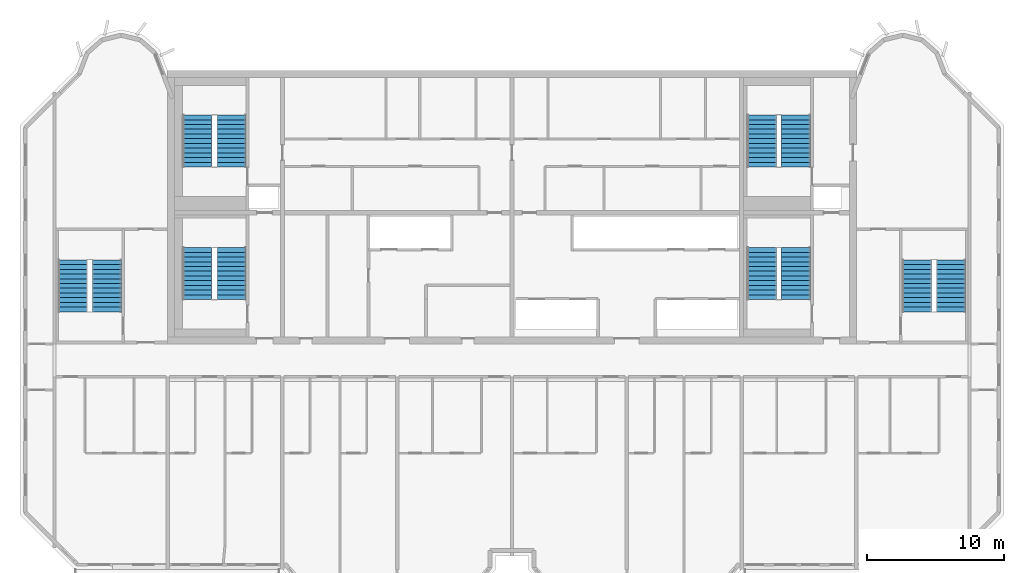
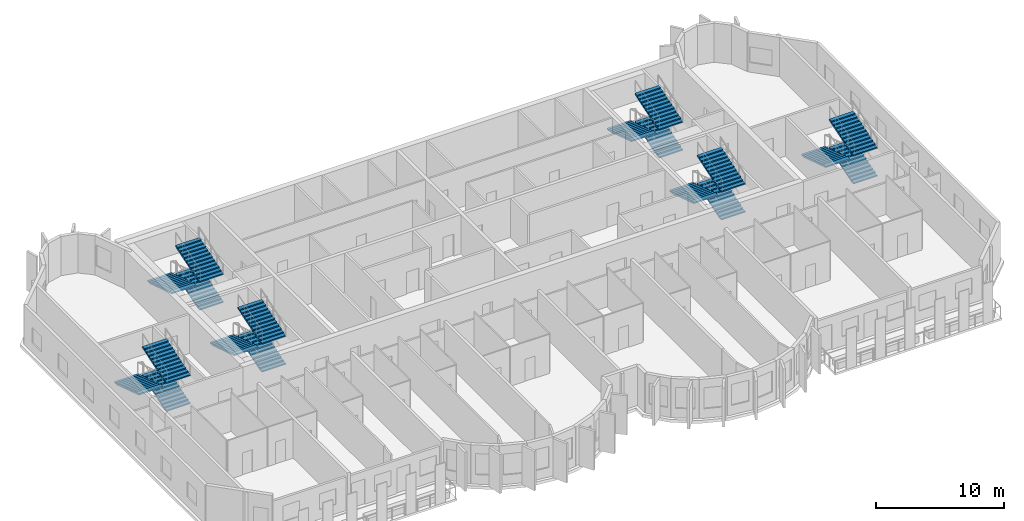
# One storey, part 9 of 12: 18 stair flights, 6 elements without a shape of their own.
"""IFC4 building model written with IfcOpenShell, lengths in metres."""

from ifc_helpers import new_model, si_unit, direction, frame, origin, place, context, subcontext, project, spatial, polyline, outline, extrude, source, transform, mapped, material, type_object, element, aggregate, save


model = new_model("IFC4")

# Units and contexts
model_context = context("Model", 3, precision=1e-05, world=origin(), true_north=direction((0.0, 1.0)))
body_context = subcontext(model_context, "Body", "Model", "MODEL_VIEW")
ifc_project = project(units=[si_unit("LENGTHUNIT", "METRE"), si_unit("AREAUNIT", "SQUARE_METRE"), si_unit("VOLUMEUNIT", "CUBIC_METRE"), si_unit("PLANEANGLEUNIT", "RADIAN"), si_unit("MASSUNIT", "GRAM", prefix="KILO")], contexts=[model_context])

# Site, building, storey
site_placement = place(None, origin())
site = spatial("IfcSite", under=ifc_project, at=site_placement, CompositionType="ELEMENT")
building_placement = place(site_placement, origin())
building = spatial("IfcBuilding", under=site, at=building_placement, Name="Vanashikhar Sky Hotel", CompositionType="ELEMENT")
storey_placement = place(building_placement, frame((0.0, 0.0, 297.699951171875)))
storey = spatial("IfcBuildingStorey", under=building, at=storey_placement, Name="L71", CompositionType="ELEMENT", Elevation=297.699951171875)

# Stair, stair flights
ifc_material = material(Name="Concrete M40", Category="concrete")
stair_type = type_object("IfcStairType", Name="Exit stair 2150", PredefinedType="DOUBLE_RETURN_STAIR", material=ifc_material)
stair_1_placement = place(storey_placement, origin())
stair_1 = element("IfcStair", 1, at=stair_1_placement, inside=storey, type_object=stair_type, Name="L71 Exit stair 1", PredefinedType="DOUBLE_RETURN_STAIR")
stair_flight_type = type_object("IfcStairFlightType", Name="Stair flight 2150", PredefinedType="STRAIGHT", material=ifc_material)
shared_shape = source(origin(), body_context, "Body", "SweptSolid", [
    extrude(outline(polyline([(0.0, 0.0), (0.0, 0.111083984375), (0.345458984375, 0.111083984375), (0.345458984375, 0.22216796875), (0.69091796875, 0.22216796875), (0.69091796875, 0.333251953125), (1.036376953125, 0.333251953125), (1.036376953125, 0.4443359375), (1.3818359375, 0.4443359375), (1.3818359375, 0.5556640625), (1.727294921875, 0.5556640625), (1.727294921875, 0.666748046875), (2.07275390625, 0.666748046875), (2.07275390625, 0.77783203125), (2.418212890625, 0.77783203125), (2.418212890625, 0.888916015625), (2.763671875, 0.888916015625), (2.763671875, 1.0), (3.109130859375, 1.0), (3.109130859375, 1.111083984375), (3.45458984375, 1.111083984375), (3.45458984375, 1.22216796875), (3.800048828125, 1.22216796875), (3.800048828125, 1.333251953125), (3.800048828125, 1.095947265625), (0.392333984375, 0.0), (0.0, 0.0)])), frame((0.0, 1.074951171875, 0.0), z_axis=(0.0, -1.0, 0.0), x_axis=(1.0, 0.0, 0.0)), (0.0, 0.0, 1.0), 2.14990234375),
])
stair_flight_1_placement = place(storey_placement, frame((29.875, 25.25, 0.0), z_axis=(0.0, 0.0, 1.0), x_axis=(0.0, 1.0, 0.0)))
stair_flight_1 = element("IfcStairFlight", 2, at=stair_flight_1_placement, type_object=stair_flight_type, Name="ST-C1 flight 1", NumberOfRisers=12, NumberOfTreads=11, PredefinedType="STRAIGHT", RiserHeight=0.111111111, TreadLength=0.345454545, context=body_context, shape_type="MappedRepresentation", body=[
    mapped(shared_shape, transform((0.0, 0.0, 0.0), scale=1.0)),
])
stair_flight_2_placement = place(storey_placement, frame((27.375, 29.050048828125, 1.33349609375), z_axis=(0.0, 0.0, 1.0), x_axis=(0.0, -1.0, 0.0)))
stair_flight_2 = element("IfcStairFlight", 3, at=stair_flight_2_placement, type_object=stair_flight_type, Name="ST-C1 flight 2", NumberOfRisers=12, NumberOfTreads=11, PredefinedType="STRAIGHT", RiserHeight=0.111111111, TreadLength=0.345454545, context=body_context, shape_type="MappedRepresentation", body=[
    mapped(shared_shape, transform((0.0, 0.0, 0.0), scale=1.0)),
])
stair_flight_3_placement = place(storey_placement, frame((29.875, 25.25, 2.666748046875), z_axis=(0.0, 0.0, 1.0), x_axis=(0.0, 1.0, 0.0)))
stair_flight_3 = element("IfcStairFlight", 4, at=stair_flight_3_placement, type_object=stair_flight_type, Name="ST-C1 flight 3", NumberOfRisers=12, NumberOfTreads=11, PredefinedType="STRAIGHT", RiserHeight=0.111111111, TreadLength=0.345454545, context=body_context, shape_type="MappedRepresentation", body=[
    mapped(shared_shape, transform((0.0, 0.0, 0.0), scale=1.0)),
])
aggregate(stair_1, [stair_flight_1, stair_flight_2, stair_flight_3])

stair_2_placement = place(storey_placement, origin())
stair_2 = element("IfcStair", 5, at=stair_2_placement, inside=storey, type_object=stair_type, Name="L71 Exit stair 2", PredefinedType="DOUBLE_RETURN_STAIR")
stair_flight_4_placement = place(storey_placement, frame((71.175048828125, 25.25, 0.0), z_axis=(0.0, 0.0, 1.0), x_axis=(0.0, 1.0, 0.0)))
stair_flight_4 = element("IfcStairFlight", 6, at=stair_flight_4_placement, type_object=stair_flight_type, Name="ST-C2 flight 1", NumberOfRisers=12, NumberOfTreads=11, PredefinedType="STRAIGHT", RiserHeight=0.111111111, TreadLength=0.345454545, context=body_context, shape_type="MappedRepresentation", body=[
    mapped(shared_shape, transform((0.0, 0.0, 0.0), scale=1.0)),
])
stair_flight_5_placement = place(storey_placement, frame((68.675048828125, 29.050048828125, 1.33349609375), z_axis=(0.0, 0.0, 1.0), x_axis=(0.0, -1.0, 0.0)))
stair_flight_5 = element("IfcStairFlight", 7, at=stair_flight_5_placement, type_object=stair_flight_type, Name="ST-C2 flight 2", NumberOfRisers=12, NumberOfTreads=11, PredefinedType="STRAIGHT", RiserHeight=0.111111111, TreadLength=0.345454545, context=body_context, shape_type="MappedRepresentation", body=[
    mapped(shared_shape, transform((0.0, 0.0, 0.0), scale=1.0)),
])
stair_flight_6_placement = place(storey_placement, frame((71.175048828125, 25.25, 2.666748046875), z_axis=(0.0, 0.0, 1.0), x_axis=(0.0, 1.0, 0.0)))
stair_flight_6 = element("IfcStairFlight", 8, at=stair_flight_6_placement, type_object=stair_flight_type, Name="ST-C2 flight 3", NumberOfRisers=12, NumberOfTreads=11, PredefinedType="STRAIGHT", RiserHeight=0.111111111, TreadLength=0.345454545, context=body_context, shape_type="MappedRepresentation", body=[
    mapped(shared_shape, transform((0.0, 0.0, 0.0), scale=1.0)),
])
aggregate(stair_2, [stair_flight_4, stair_flight_5, stair_flight_6])

stair_3_placement = place(storey_placement, origin())
stair_3 = element("IfcStair", 9, at=stair_3_placement, inside=storey, type_object=stair_type, Name="L71 Exit stair 3", PredefinedType="DOUBLE_RETURN_STAIR")
stair_flight_7_placement = place(storey_placement, frame((20.77490234375, 24.35009765625, 0.0), z_axis=(0.0, 0.0, 1.0), x_axis=(0.0, 1.0, 0.0)))
stair_flight_7 = element("IfcStairFlight", 10, at=stair_flight_7_placement, type_object=stair_flight_type, Name="ST-W flight 1", NumberOfRisers=12, NumberOfTreads=11, PredefinedType="STRAIGHT", RiserHeight=0.111111111, TreadLength=0.345454545, context=body_context, shape_type="MappedRepresentation", body=[
    mapped(shared_shape, transform((0.0, 0.0, 0.0), scale=1.0)),
])
stair_flight_8_placement = place(storey_placement, frame((18.27490234375, 28.14990234375, 1.33349609375), z_axis=(0.0, 0.0, 1.0), x_axis=(0.0, -1.0, 0.0)))
stair_flight_8 = element("IfcStairFlight", 11, at=stair_flight_8_placement, type_object=stair_flight_type, Name="ST-W flight 2", NumberOfRisers=12, NumberOfTreads=11, PredefinedType="STRAIGHT", RiserHeight=0.111111111, TreadLength=0.345454545, context=body_context, shape_type="MappedRepresentation", body=[
    mapped(shared_shape, transform((0.0, 0.0, 0.0), scale=1.0)),
])
stair_flight_9_placement = place(storey_placement, frame((20.77490234375, 24.35009765625, 2.666748046875), z_axis=(0.0, 0.0, 1.0), x_axis=(0.0, 1.0, 0.0)))
stair_flight_9 = element("IfcStairFlight", 12, at=stair_flight_9_placement, type_object=stair_flight_type, Name="ST-W flight 3", NumberOfRisers=12, NumberOfTreads=11, PredefinedType="STRAIGHT", RiserHeight=0.111111111, TreadLength=0.345454545, context=body_context, shape_type="MappedRepresentation", body=[
    mapped(shared_shape, transform((0.0, 0.0, 0.0), scale=1.0)),
])
aggregate(stair_3, [stair_flight_7, stair_flight_8, stair_flight_9])

stair_4_placement = place(storey_placement, origin())
stair_4 = element("IfcStair", 13, at=stair_4_placement, inside=storey, type_object=stair_type, Name="L71 Exit stair 4", PredefinedType="DOUBLE_RETURN_STAIR")
stair_flight_10_placement = place(storey_placement, frame((82.52490234375, 24.35009765625, 0.0), z_axis=(0.0, 0.0, 1.0), x_axis=(0.0, 1.0, 0.0)))
stair_flight_10 = element("IfcStairFlight", 14, at=stair_flight_10_placement, type_object=stair_flight_type, Name="ST-E flight 1", NumberOfRisers=12, NumberOfTreads=11, PredefinedType="STRAIGHT", RiserHeight=0.111111111, TreadLength=0.345454545, context=body_context, shape_type="MappedRepresentation", body=[
    mapped(shared_shape, transform((0.0, 0.0, 0.0), scale=1.0)),
])
stair_flight_11_placement = place(storey_placement, frame((80.02490234375, 28.14990234375, 1.33349609375), z_axis=(0.0, 0.0, 1.0), x_axis=(0.0, -1.0, 0.0)))
stair_flight_11 = element("IfcStairFlight", 15, at=stair_flight_11_placement, type_object=stair_flight_type, Name="ST-E flight 2", NumberOfRisers=12, NumberOfTreads=11, PredefinedType="STRAIGHT", RiserHeight=0.111111111, TreadLength=0.345454545, context=body_context, shape_type="MappedRepresentation", body=[
    mapped(shared_shape, transform((0.0, 0.0, 0.0), scale=1.0)),
])
stair_flight_12_placement = place(storey_placement, frame((82.52490234375, 24.35009765625, 2.666748046875), z_axis=(0.0, 0.0, 1.0), x_axis=(0.0, 1.0, 0.0)))
stair_flight_12 = element("IfcStairFlight", 16, at=stair_flight_12_placement, type_object=stair_flight_type, Name="ST-E flight 3", NumberOfRisers=12, NumberOfTreads=11, PredefinedType="STRAIGHT", RiserHeight=0.111111111, TreadLength=0.345454545, context=body_context, shape_type="MappedRepresentation", body=[
    mapped(shared_shape, transform((0.0, 0.0, 0.0), scale=1.0)),
])
aggregate(stair_4, [stair_flight_10, stair_flight_11, stair_flight_12])

stair_5_placement = place(storey_placement, origin())
stair_5 = element("IfcStair", 17, at=stair_5_placement, inside=storey, type_object=stair_type, Name="L71 Exit stair 5", PredefinedType="DOUBLE_RETURN_STAIR")
stair_flight_13_placement = place(storey_placement, frame((29.875, 34.949951171875, 0.0), z_axis=(0.0, 0.0, 1.0), x_axis=(0.0, 1.0, 0.0)))
stair_flight_13 = element("IfcStairFlight", 18, at=stair_flight_13_placement, type_object=stair_flight_type, Name="ST-C3 flight 1", NumberOfRisers=12, NumberOfTreads=11, PredefinedType="STRAIGHT", RiserHeight=0.111111111, TreadLength=0.345454545, context=body_context, shape_type="MappedRepresentation", body=[
    mapped(shared_shape, transform((0.0, 0.0, 0.0), scale=1.0)),
])
stair_flight_14_placement = place(storey_placement, frame((27.375, 38.75, 1.33349609375), z_axis=(0.0, 0.0, 1.0), x_axis=(0.0, -1.0, 0.0)))
stair_flight_14 = element("IfcStairFlight", 19, at=stair_flight_14_placement, type_object=stair_flight_type, Name="ST-C3 flight 2", NumberOfRisers=12, NumberOfTreads=11, PredefinedType="STRAIGHT", RiserHeight=0.111111111, TreadLength=0.345454545, context=body_context, shape_type="MappedRepresentation", body=[
    mapped(shared_shape, transform((0.0, 0.0, 0.0), scale=1.0)),
])
stair_flight_15_placement = place(storey_placement, frame((29.875, 34.949951171875, 2.666748046875), z_axis=(0.0, 0.0, 1.0), x_axis=(0.0, 1.0, 0.0)))
stair_flight_15 = element("IfcStairFlight", 20, at=stair_flight_15_placement, type_object=stair_flight_type, Name="ST-C3 flight 3", NumberOfRisers=12, NumberOfTreads=11, PredefinedType="STRAIGHT", RiserHeight=0.111111111, TreadLength=0.345454545, context=body_context, shape_type="MappedRepresentation", body=[
    mapped(shared_shape, transform((0.0, 0.0, 0.0), scale=1.0)),
])
aggregate(stair_5, [stair_flight_13, stair_flight_14, stair_flight_15])

stair_6_placement = place(storey_placement, origin())
stair_6 = element("IfcStair", 21, at=stair_6_placement, inside=storey, type_object=stair_type, Name="L71 Exit stair 6", PredefinedType="DOUBLE_RETURN_STAIR")
stair_flight_16_placement = place(storey_placement, frame((71.175048828125, 34.949951171875, 0.0), z_axis=(0.0, 0.0, 1.0), x_axis=(0.0, 1.0, 0.0)))
stair_flight_16 = element("IfcStairFlight", 22, at=stair_flight_16_placement, type_object=stair_flight_type, Name="ST-C4 flight 1", NumberOfRisers=12, NumberOfTreads=11, PredefinedType="STRAIGHT", RiserHeight=0.111111111, TreadLength=0.345454545, context=body_context, shape_type="MappedRepresentation", body=[
    mapped(shared_shape, transform((0.0, 0.0, 0.0), scale=1.0)),
])
stair_flight_17_placement = place(storey_placement, frame((68.675048828125, 38.75, 1.33349609375), z_axis=(0.0, 0.0, 1.0), x_axis=(0.0, -1.0, 0.0)))
stair_flight_17 = element("IfcStairFlight", 23, at=stair_flight_17_placement, type_object=stair_flight_type, Name="ST-C4 flight 2", NumberOfRisers=12, NumberOfTreads=11, PredefinedType="STRAIGHT", RiserHeight=0.111111111, TreadLength=0.345454545, context=body_context, shape_type="MappedRepresentation", body=[
    mapped(shared_shape, transform((0.0, 0.0, 0.0), scale=1.0)),
])
stair_flight_18_placement = place(storey_placement, frame((71.175048828125, 34.949951171875, 2.666748046875), z_axis=(0.0, 0.0, 1.0), x_axis=(0.0, 1.0, 0.0)))
stair_flight_18 = element("IfcStairFlight", 24, at=stair_flight_18_placement, type_object=stair_flight_type, Name="ST-C4 flight 3", NumberOfRisers=12, NumberOfTreads=11, PredefinedType="STRAIGHT", RiserHeight=0.111111111, TreadLength=0.345454545, context=body_context, shape_type="MappedRepresentation", body=[
    mapped(shared_shape, transform((0.0, 0.0, 0.0), scale=1.0)),
])
aggregate(stair_6, [stair_flight_16, stair_flight_17, stair_flight_18])

save(model, "model.ifc")
